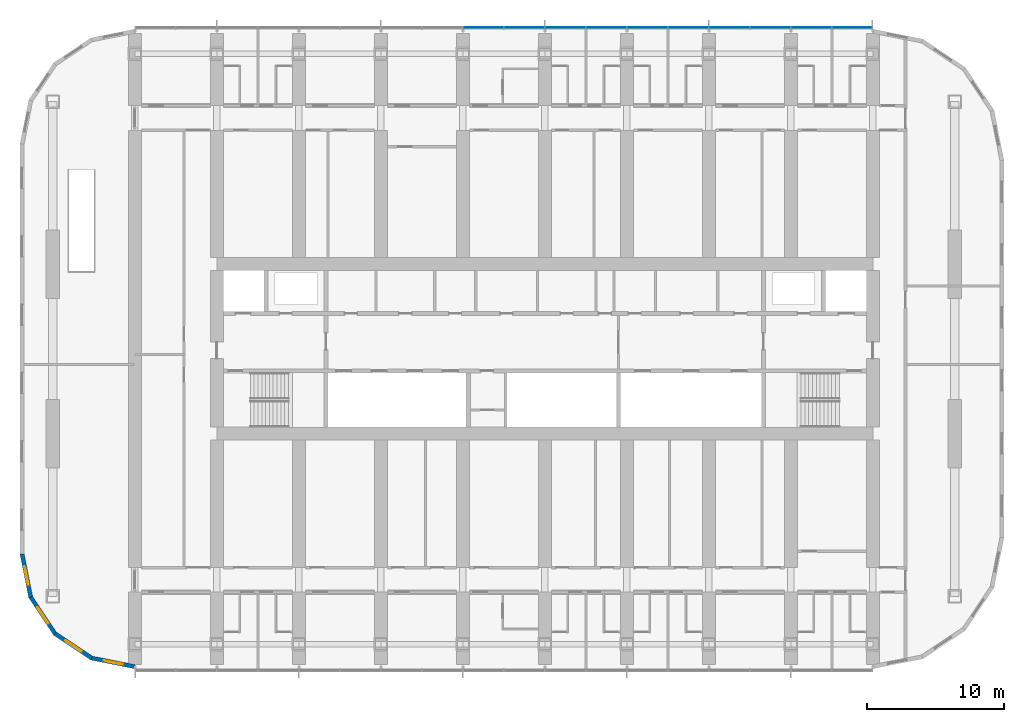
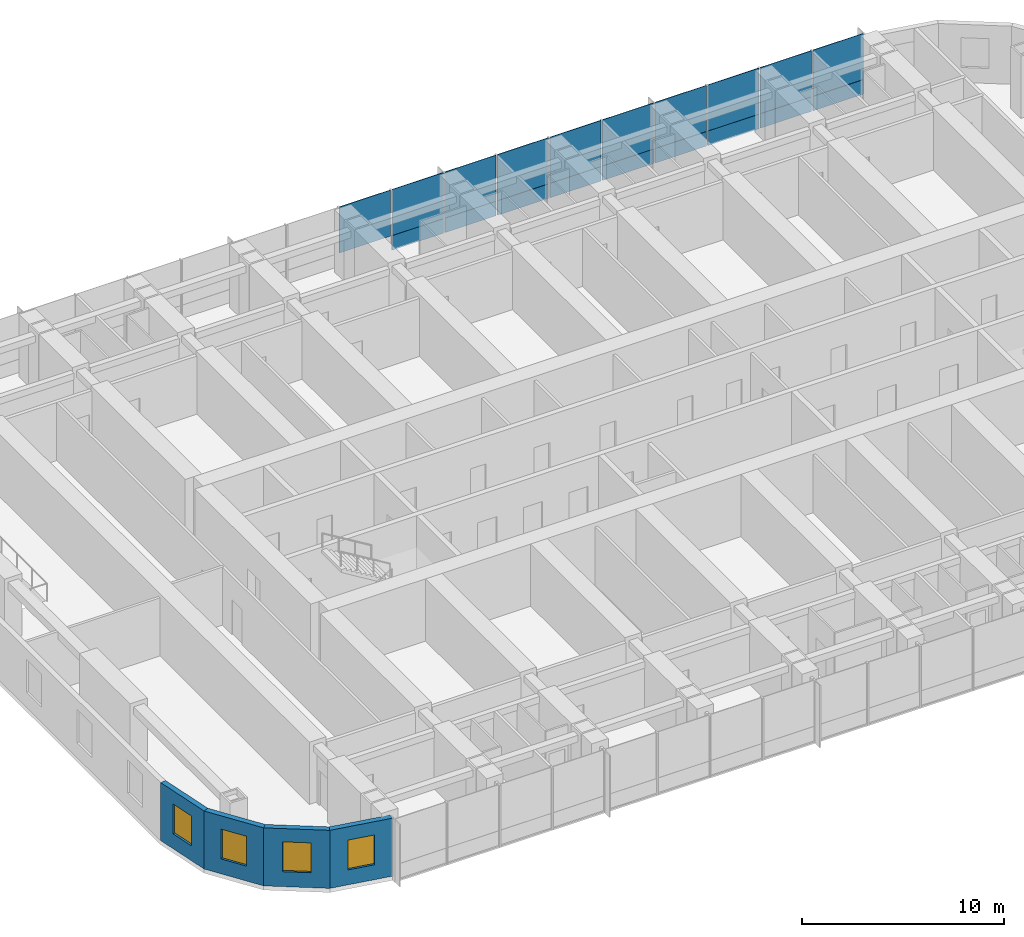
# One storey, part 7 of 21: 19 plates, 4 walls, 4 windows, 4 openings, 1 element without a shape of its own.
"""IFC4 building model written with IfcOpenShell, lengths in metres."""

from ifc_helpers import new_model, si_unit, direction, frame, frame_2d, origin, origin_2d, place, context, subcontext, project, spatial, polyline, rectangle, outline, extrude, material, layer, layer_set, type_object, element, fill, aggregate, save


model = new_model("IFC4")

# Units and contexts
model_context = context("Model", 3, precision=1e-05, world=origin(), true_north=direction((0.0, 1.0)))
body_context = subcontext(model_context, "Body", "Model", "MODEL_VIEW")
ifc_project = project(units=[si_unit("LENGTHUNIT", "METRE"), si_unit("AREAUNIT", "SQUARE_METRE"), si_unit("VOLUMEUNIT", "CUBIC_METRE"), si_unit("PLANEANGLEUNIT", "RADIAN"), si_unit("MASSUNIT", "GRAM", prefix="KILO")], contexts=[model_context])

# Site, building, storey
site_placement = place(None, origin())
site = spatial("IfcSite", under=ifc_project, at=site_placement, CompositionType="ELEMENT")
building_placement = place(site_placement, origin())
building = spatial("IfcBuilding", under=site, at=building_placement, Name="Orbita Commons", CompositionType="ELEMENT")
storey_placement = place(building_placement, frame((0.0, 0.0, 103.14990234375)))
storey = spatial("IfcBuildingStorey", under=building, at=storey_placement, Name="L25", CompositionType="ELEMENT", Elevation=103.14990234375)

# Curtain wall, plates
ifc_material_1 = material(Name="Anodised aluminium frame, pale silver", Category="aluminium")
curtain_wall_type = type_object("IfcCurtainWallType", Name="Unitised curtain wall CW-T, vision and spandrel", PredefinedType="NOTDEFINED", material=ifc_material_1)
curtain_wall_placement = place(storey_placement, origin())
curtain_wall = element("IfcCurtainWall", 1, at=curtain_wall_placement, inside=storey, type_object=curtain_wall_type, Name="Curtain wall north L25", PredefinedType="NOTDEFINED")
ifc_material_2 = material(Name="Anodised aluminium sheet on mineral wool", Category="aluminium")
ifc_layer_1 = layer(ifc_material_2, 0.050048828125)
ifc_layer_set_1 = layer_set([ifc_layer_1], Name="Anodised aluminium sheet on mineral wool")
plate_type_1 = type_object("IfcPlateType", Name="Spandrel panel, pale aluminium over insulation 50", PredefinedType="CURTAIN_PANEL", material=ifc_layer_set_1)
plate_1_placement = place(storey_placement, frame((64.47998046875, 55.510009765625, -0.14990234375), z_axis=(0.0, 0.0, 1.0), x_axis=(-1.0, 0.0, 0.0)))
plate_1 = element("IfcPlate", 2, at=plate_1_placement, type_object=plate_type_1, Name="Panel 1.1 CW-L25-N", PredefinedType="CURTAIN_PANEL", context=body_context, shape_type="SweptSolid", body=[
    extrude(rectangle(XDim=2.8798828125, YDim=0.050048828125, at=origin_2d()), origin(), (0.0, 0.0, 1.0), 0.875),
])
plate_2_placement = place(storey_placement, frame((61.5, 55.510009765625, -0.14990234375), z_axis=(0.0, 0.0, 1.0), x_axis=(-1.0, 0.0, 0.0)))
plate_2 = element("IfcPlate", 3, at=plate_2_placement, type_object=plate_type_1, Name="Panel 2.1 CW-L25-N", PredefinedType="CURTAIN_PANEL", context=body_context, shape_type="SweptSolid", body=[
    extrude(rectangle(XDim=2.919921875, YDim=0.050048828125, at=origin_2d()), origin(), (0.0, 0.0, 1.0), 0.875),
])
plate_3_placement = place(storey_placement, frame((58.5, 55.510009765625, -0.14990234375), z_axis=(0.0, 0.0, 1.0), x_axis=(-1.0, 0.0, 0.0)))
plate_3 = element("IfcPlate", 4, at=plate_3_placement, type_object=plate_type_1, Name="Panel 3.1 CW-L25-N", PredefinedType="CURTAIN_PANEL", context=body_context, shape_type="SweptSolid", body=[
    extrude(rectangle(XDim=2.919921875, YDim=0.050048828125, at=origin_2d()), origin(), (0.0, 0.0, 1.0), 0.875),
])
plate_4_placement = place(storey_placement, frame((55.5, 55.510009765625, -0.14990234375), z_axis=(0.0, 0.0, 1.0), x_axis=(-1.0, 0.0, 0.0)))
plate_4 = element("IfcPlate", 5, at=plate_4_placement, type_object=plate_type_1, Name="Panel 4.1 CW-L25-N", PredefinedType="CURTAIN_PANEL", context=body_context, shape_type="SweptSolid", body=[
    extrude(rectangle(XDim=2.919921875, YDim=0.050048828125, at=origin_2d()), origin(), (0.0, 0.0, 1.0), 0.875),
])
plate_5_placement = place(storey_placement, frame((52.5, 55.510009765625, -0.14990234375), z_axis=(0.0, 0.0, 1.0), x_axis=(-1.0, 0.0, 0.0)))
plate_5 = element("IfcPlate", 6, at=plate_5_placement, type_object=plate_type_1, Name="Panel 5.1 CW-L25-N", PredefinedType="CURTAIN_PANEL", context=body_context, shape_type="SweptSolid", body=[
    extrude(rectangle(XDim=2.919921875, YDim=0.050048828125, at=origin_2d()), origin(), (0.0, 0.0, 1.0), 0.875),
])
plate_6_placement = place(storey_placement, frame((49.5, 55.510009765625, -0.14990234375), z_axis=(0.0, 0.0, 1.0), x_axis=(-1.0, 0.0, 0.0)))
plate_6 = element("IfcPlate", 7, at=plate_6_placement, type_object=plate_type_1, Name="Panel 6.1 CW-L25-N", PredefinedType="CURTAIN_PANEL", context=body_context, shape_type="SweptSolid", body=[
    extrude(rectangle(XDim=2.919921875, YDim=0.050048828125, at=origin_2d()), origin(), (0.0, 0.0, 1.0), 0.875),
])
plate_7_placement = place(storey_placement, frame((46.5, 55.510009765625, -0.14990234375), z_axis=(0.0, 0.0, 1.0), x_axis=(-1.0, 0.0, 0.0)))
plate_7 = element("IfcPlate", 8, at=plate_7_placement, type_object=plate_type_1, Name="Panel 7.1 CW-L25-N", PredefinedType="CURTAIN_PANEL", context=body_context, shape_type="SweptSolid", body=[
    extrude(rectangle(XDim=2.919921875, YDim=0.050048828125, at=origin_2d()), origin(), (0.0, 0.0, 1.0), 0.875),
])
plate_8_placement = place(storey_placement, frame((43.5, 55.510009765625, -0.14990234375), z_axis=(0.0, 0.0, 1.0), x_axis=(-1.0, 0.0, 0.0)))
plate_8 = element("IfcPlate", 9, at=plate_8_placement, type_object=plate_type_1, Name="Panel 8.1 CW-L25-N", PredefinedType="CURTAIN_PANEL", context=body_context, shape_type="SweptSolid", body=[
    extrude(rectangle(XDim=2.919921875, YDim=0.050048828125, at=origin_2d()), origin(), (0.0, 0.0, 1.0), 0.875),
])
plate_9_placement = place(storey_placement, frame((40.5, 55.510009765625, -0.14990234375), z_axis=(0.0, 0.0, 1.0), x_axis=(-1.0, 0.0, 0.0)))
plate_9 = element("IfcPlate", 10, at=plate_9_placement, type_object=plate_type_1, Name="Panel 9.1 CW-L25-N", PredefinedType="CURTAIN_PANEL", context=body_context, shape_type="SweptSolid", body=[
    extrude(rectangle(XDim=2.919921875, YDim=0.050048828125, at=origin_2d()), origin(), (0.0, 0.0, 1.0), 0.875),
])
ifc_material_3 = material(Name="Clear double glazing", Category="glass")
ifc_layer_2 = layer(ifc_material_3, 0.031982421875)
ifc_layer_set_2 = layer_set([ifc_layer_2], Name="Clear double glazing")
plate_type_2 = type_object("IfcPlateType", Name="Vision panel, clear double glazing 32", PredefinedType="CURTAIN_PANEL", material=ifc_layer_set_2)
plate_10_placement = place(storey_placement, frame((64.47998046875, 55.510009765625, 0.72509765625), z_axis=(0.0, 0.0, 1.0), x_axis=(-1.0, 0.0, 0.0)))
plate_10 = element("IfcPlate", 11, at=plate_10_placement, type_object=plate_type_2, Name="Panel 1.2 CW-L25-N", PredefinedType="CURTAIN_PANEL", context=body_context, shape_type="SweptSolid", body=[
    extrude(rectangle(XDim=2.8798828125, YDim=0.031982421875, at=origin_2d()), origin(), (0.0, 0.0, 1.0), 2.77490234375),
])
plate_11_placement = place(storey_placement, frame((61.5, 55.510009765625, 0.72509765625), z_axis=(0.0, 0.0, 1.0), x_axis=(-1.0, 0.0, 0.0)))
plate_11 = element("IfcPlate", 12, at=plate_11_placement, type_object=plate_type_2, Name="Panel 2.2 CW-L25-N", PredefinedType="CURTAIN_PANEL", context=body_context, shape_type="SweptSolid", body=[
    extrude(rectangle(XDim=2.919921875, YDim=0.031982421875, at=origin_2d()), origin(), (0.0, 0.0, 1.0), 2.77490234375),
])
plate_12_placement = place(storey_placement, frame((58.5, 55.510009765625, 0.72509765625), z_axis=(0.0, 0.0, 1.0), x_axis=(-1.0, 0.0, 0.0)))
plate_12 = element("IfcPlate", 13, at=plate_12_placement, type_object=plate_type_2, Name="Panel 3.2 CW-L25-N", PredefinedType="CURTAIN_PANEL", context=body_context, shape_type="SweptSolid", body=[
    extrude(rectangle(XDim=2.919921875, YDim=0.031982421875, at=origin_2d()), origin(), (0.0, 0.0, 1.0), 2.77490234375),
])
plate_13_placement = place(storey_placement, frame((55.5, 55.510009765625, 0.72509765625), z_axis=(0.0, 0.0, 1.0), x_axis=(-1.0, 0.0, 0.0)))
plate_13 = element("IfcPlate", 14, at=plate_13_placement, type_object=plate_type_2, Name="Panel 4.2 CW-L25-N", PredefinedType="CURTAIN_PANEL", context=body_context, shape_type="SweptSolid", body=[
    extrude(rectangle(XDim=2.919921875, YDim=0.031982421875, at=origin_2d()), origin(), (0.0, 0.0, 1.0), 2.77490234375),
])
plate_14_placement = place(storey_placement, frame((52.5, 55.510009765625, 0.72509765625), z_axis=(0.0, 0.0, 1.0), x_axis=(-1.0, 0.0, 0.0)))
plate_14 = element("IfcPlate", 15, at=plate_14_placement, type_object=plate_type_2, Name="Panel 5.2 CW-L25-N", PredefinedType="CURTAIN_PANEL", context=body_context, shape_type="SweptSolid", body=[
    extrude(rectangle(XDim=2.919921875, YDim=0.031982421875, at=origin_2d()), origin(), (0.0, 0.0, 1.0), 2.77490234375),
])
plate_15_placement = place(storey_placement, frame((49.5, 55.510009765625, 0.72509765625), z_axis=(0.0, 0.0, 1.0), x_axis=(-1.0, 0.0, 0.0)))
plate_15 = element("IfcPlate", 16, at=plate_15_placement, type_object=plate_type_2, Name="Panel 6.2 CW-L25-N", PredefinedType="CURTAIN_PANEL", context=body_context, shape_type="SweptSolid", body=[
    extrude(rectangle(XDim=2.919921875, YDim=0.031982421875, at=origin_2d()), origin(), (0.0, 0.0, 1.0), 2.77490234375),
])
plate_16_placement = place(storey_placement, frame((46.5, 55.510009765625, 0.72509765625), z_axis=(0.0, 0.0, 1.0), x_axis=(-1.0, 0.0, 0.0)))
plate_16 = element("IfcPlate", 17, at=plate_16_placement, type_object=plate_type_2, Name="Panel 7.2 CW-L25-N", PredefinedType="CURTAIN_PANEL", context=body_context, shape_type="SweptSolid", body=[
    extrude(rectangle(XDim=2.919921875, YDim=0.031982421875, at=origin_2d()), origin(), (0.0, 0.0, 1.0), 2.77490234375),
])
plate_17_placement = place(storey_placement, frame((43.5, 55.510009765625, 0.72509765625), z_axis=(0.0, 0.0, 1.0), x_axis=(-1.0, 0.0, 0.0)))
plate_17 = element("IfcPlate", 18, at=plate_17_placement, type_object=plate_type_2, Name="Panel 8.2 CW-L25-N", PredefinedType="CURTAIN_PANEL", context=body_context, shape_type="SweptSolid", body=[
    extrude(rectangle(XDim=2.919921875, YDim=0.031982421875, at=origin_2d()), origin(), (0.0, 0.0, 1.0), 2.77490234375),
])
plate_18_placement = place(storey_placement, frame((40.5, 55.510009765625, 0.72509765625), z_axis=(0.0, 0.0, 1.0), x_axis=(-1.0, 0.0, 0.0)))
plate_18 = element("IfcPlate", 19, at=plate_18_placement, type_object=plate_type_2, Name="Panel 9.2 CW-L25-N", PredefinedType="CURTAIN_PANEL", context=body_context, shape_type="SweptSolid", body=[
    extrude(rectangle(XDim=2.919921875, YDim=0.031982421875, at=origin_2d()), origin(), (0.0, 0.0, 1.0), 2.77490234375),
])
plate_19_placement = place(storey_placement, frame((37.5, 55.510009765625, 0.72509765625), z_axis=(0.0, 0.0, 1.0), x_axis=(-1.0, 0.0, 0.0)))
plate_19 = element("IfcPlate", 20, at=plate_19_placement, type_object=plate_type_2, Name="Panel 10.2 CW-L25-N", PredefinedType="CURTAIN_PANEL", context=body_context, shape_type="SweptSolid", body=[
    extrude(rectangle(XDim=2.919921875, YDim=0.031982421875, at=origin_2d()), origin(), (0.0, 0.0, 1.0), 2.77490234375),
])
aggregate(curtain_wall, [plate_1, plate_10, plate_2, plate_11, plate_3, plate_12, plate_4, plate_13, plate_5, plate_14, plate_6, plate_15, plate_7, plate_16, plate_8, plate_17, plate_9, plate_18, plate_19])

# Wall, opening, window
ifc_material_4 = material(Name="Precast concrete C40/50, white board-marked finish", Category="concrete")
ifc_layer_3 = layer(ifc_material_4, 0.300048828125)
ifc_layer_set_3 = layer_set([ifc_layer_3], Name="Precast concrete C40/50, white board-marked finish")
wall_type = type_object("IfcWallType", Name="Precast concrete end shield 300", PredefinedType="SOLIDWALL", material=ifc_layer_set_3)
wall_1_placement = place(storey_placement, frame((3.75, 17.0, 0.0), z_axis=(0.0, 0.0, 1.0), x_axis=(0.195080412259, -0.980787251524, 0.0)))
wall_1 = element("IfcWall", 21, at=wall_1_placement, inside=storey, type_object=wall_type, Name="End shield SW chord 1 L25", PredefinedType="SOLIDWALL", context=body_context, shape_type="SweptSolid", body=[
    extrude(outline(polyline([(-0.014892578125, -0.14990234375), (3.24853515625, -0.14990234375), (3.18896484375, 0.14990234375), (0.014892578125, 0.14990234375), (-0.014892578125, -0.14990234375)])), origin(), (0.0, 0.0, 1.0), 3.5),
])
opening_1_placement = place(wall_1_placement, frame((0.909423828125, 0.0, 0.89990234375)))
opening_1 = element("IfcOpeningElement", 22, at=opening_1_placement, cuts=wall_1, Name="Opening W02", PredefinedType="OPENING", context=body_context, shape_type="SweptSolid", body=[
    extrude(rectangle(XDim=1.39990234375, YDim=1.800048828125, at=frame_2d((0.699951171875, 0.89990234375))), frame((0.0, 0.159912109375, 0.0), z_axis=(0.0, -1.0, 0.0), x_axis=(1.0, 0.0, 0.0)), (0.0, 0.0, 1.0), 0.320068359375),
])
ifc_material_5 = material(Name="Aluminium frame, clear double glazing", Category="aluminium")
window_type = type_object("IfcWindowType", Name="Deep-set window 1400x1800", PartitioningType="SINGLE_PANEL", PredefinedType="WINDOW", material=ifc_material_5)
window_1_placement = place(opening_1_placement, origin())
window_1 = element("IfcWindow", 23, at=window_1_placement, inside=storey, type_object=window_type, Name="Window L25-SW0", OverallHeight=1.800048828125, OverallWidth=1.39990234375, PartitioningType="SINGLE_PANEL", PredefinedType="WINDOW", context=body_context, shape_type="SweptSolid", body=[
    extrude(rectangle(XDim=1.39990234375, YDim=1.800048828125, at=frame_2d((0.699951171875, 0.89990234375))), frame((0.0, 0.030029296875, 0.0), z_axis=(0.0, -1.0, 0.0), x_axis=(1.0, 0.0, 0.0)), (0.0, 0.0, 1.0), 0.06005859375),
])
fill(opening_1, window_1)

wall_2_placement = place(storey_placement, frame((4.3779296875, 13.843017578125, 0.0), z_axis=(0.0, 0.0, 1.0), x_axis=(0.555609954424, -0.831443069936, 0.0)))
wall_2 = element("IfcWall", 24, at=wall_2_placement, inside=storey, type_object=wall_type, Name="End shield SW chord 2 L25", PredefinedType="SOLIDWALL", context=body_context, shape_type="SweptSolid", body=[
    extrude(outline(polyline([(-0.02978515625, -0.14990234375), (3.2490234375, -0.14990234375), (3.189453125, 0.14990234375), (0.02978515625, 0.14990234375), (-0.02978515625, -0.14990234375)])), origin(), (0.0, 0.0, 1.0), 3.5),
])
opening_2_placement = place(wall_2_placement, frame((0.909423828125, 0.0, 0.89990234375)))
opening_2 = element("IfcOpeningElement", 25, at=opening_2_placement, cuts=wall_2, Name="Opening W02", PredefinedType="OPENING", context=body_context, shape_type="SweptSolid", body=[
    extrude(rectangle(XDim=1.39990234375, YDim=1.800048828125, at=frame_2d((0.699951171875, 0.89990234375))), frame((0.0, 0.159912109375, 0.0), z_axis=(0.0, -1.0, 0.0), x_axis=(1.0, 0.0, 0.0)), (0.0, 0.0, 1.0), 0.320068359375),
])
window_2_placement = place(opening_2_placement, origin())
window_2 = element("IfcWindow", 26, at=window_2_placement, inside=storey, type_object=window_type, Name="Window L25-SW1", OverallHeight=1.800048828125, OverallWidth=1.39990234375, PartitioningType="SINGLE_PANEL", PredefinedType="WINDOW", context=body_context, shape_type="SweptSolid", body=[
    extrude(rectangle(XDim=1.39990234375, YDim=1.800048828125, at=frame_2d((0.699951171875, 0.89990234375))), frame((0.0, 0.030029296875, 0.0), z_axis=(0.0, -1.0, 0.0), x_axis=(1.0, 0.0, 0.0)), (0.0, 0.0, 1.0), 0.06005859375),
])
fill(opening_2, window_2)

wall_3_placement = place(storey_placement, frame((6.16650390625, 11.16650390625, 0.0), z_axis=(0.0, 0.0, 1.0), x_axis=(0.831443069936, -0.555609954424, 0.0)))
wall_3 = element("IfcWall", 27, at=wall_3_placement, inside=storey, type_object=wall_type, Name="End shield SW chord 3 L25", PredefinedType="SOLIDWALL", context=body_context, shape_type="SweptSolid", body=[
    extrude(outline(polyline([(-0.02978515625, -0.14990234375), (3.2490234375, -0.14990234375), (3.189453125, 0.14990234375), (0.02978515625, 0.14990234375), (-0.02978515625, -0.14990234375)])), origin(), (0.0, 0.0, 1.0), 3.5),
])
opening_3_placement = place(wall_3_placement, frame((0.909423828125, 0.0, 0.89990234375)))
opening_3 = element("IfcOpeningElement", 28, at=opening_3_placement, cuts=wall_3, Name="Opening W02", PredefinedType="OPENING", context=body_context, shape_type="SweptSolid", body=[
    extrude(rectangle(XDim=1.39990234375, YDim=1.800048828125, at=frame_2d((0.699951171875, 0.89990234375))), frame((0.0, 0.159912109375, 0.0), z_axis=(0.0, -1.0, 0.0), x_axis=(1.0, 0.0, 0.0)), (0.0, 0.0, 1.0), 0.320068359375),
])
window_3_placement = place(opening_3_placement, origin())
window_3 = element("IfcWindow", 29, at=window_3_placement, inside=storey, type_object=window_type, Name="Window L25-SW2", OverallHeight=1.800048828125, OverallWidth=1.39990234375, PartitioningType="SINGLE_PANEL", PredefinedType="WINDOW", context=body_context, shape_type="SweptSolid", body=[
    extrude(rectangle(XDim=1.39990234375, YDim=1.800048828125, at=frame_2d((0.699951171875, 0.89990234375))), frame((0.0, 0.030029296875, 0.0), z_axis=(0.0, -1.0, 0.0), x_axis=(1.0, 0.0, 0.0)), (0.0, 0.0, 1.0), 0.06005859375),
])
fill(opening_3, window_3)

wall_4_placement = place(storey_placement, frame((8.843017578125, 9.3779296875, 0.0), z_axis=(0.0, 0.0, 1.0), x_axis=(0.980787251524, -0.195080412259, 0.0)))
wall_4 = element("IfcWall", 30, at=wall_4_placement, inside=storey, type_object=wall_type, Name="End shield SW chord 4 L25", PredefinedType="SOLIDWALL", context=body_context, shape_type="SweptSolid", body=[
    extrude(outline(polyline([(-0.02978515625, -0.14990234375), (3.24853515625, -0.14990234375), (3.18896484375, 0.14990234375), (0.02978515625, 0.14990234375), (-0.02978515625, -0.14990234375)])), origin(), (0.0, 0.0, 1.0), 3.5),
])
opening_4_placement = place(wall_4_placement, frame((0.909423828125, 0.0, 0.89990234375)))
opening_4 = element("IfcOpeningElement", 31, at=opening_4_placement, cuts=wall_4, Name="Opening W02", PredefinedType="OPENING", context=body_context, shape_type="SweptSolid", body=[
    extrude(rectangle(XDim=1.39990234375, YDim=1.800048828125, at=frame_2d((0.699951171875, 0.89990234375))), frame((0.0, 0.159912109375, 0.0), z_axis=(0.0, -1.0, 0.0), x_axis=(1.0, 0.0, 0.0)), (0.0, 0.0, 1.0), 0.320068359375),
])
window_4_placement = place(opening_4_placement, origin())
window_4 = element("IfcWindow", 32, at=window_4_placement, inside=storey, type_object=window_type, Name="Window L25-SW3", OverallHeight=1.800048828125, OverallWidth=1.39990234375, PartitioningType="SINGLE_PANEL", PredefinedType="WINDOW", context=body_context, shape_type="SweptSolid", body=[
    extrude(rectangle(XDim=1.39990234375, YDim=1.800048828125, at=frame_2d((0.699951171875, 0.89990234375))), frame((0.0, 0.030029296875, 0.0), z_axis=(0.0, -1.0, 0.0), x_axis=(1.0, 0.0, 0.0)), (0.0, 0.0, 1.0), 0.06005859375),
])
fill(opening_4, window_4)

save(model, "model.ifc")
